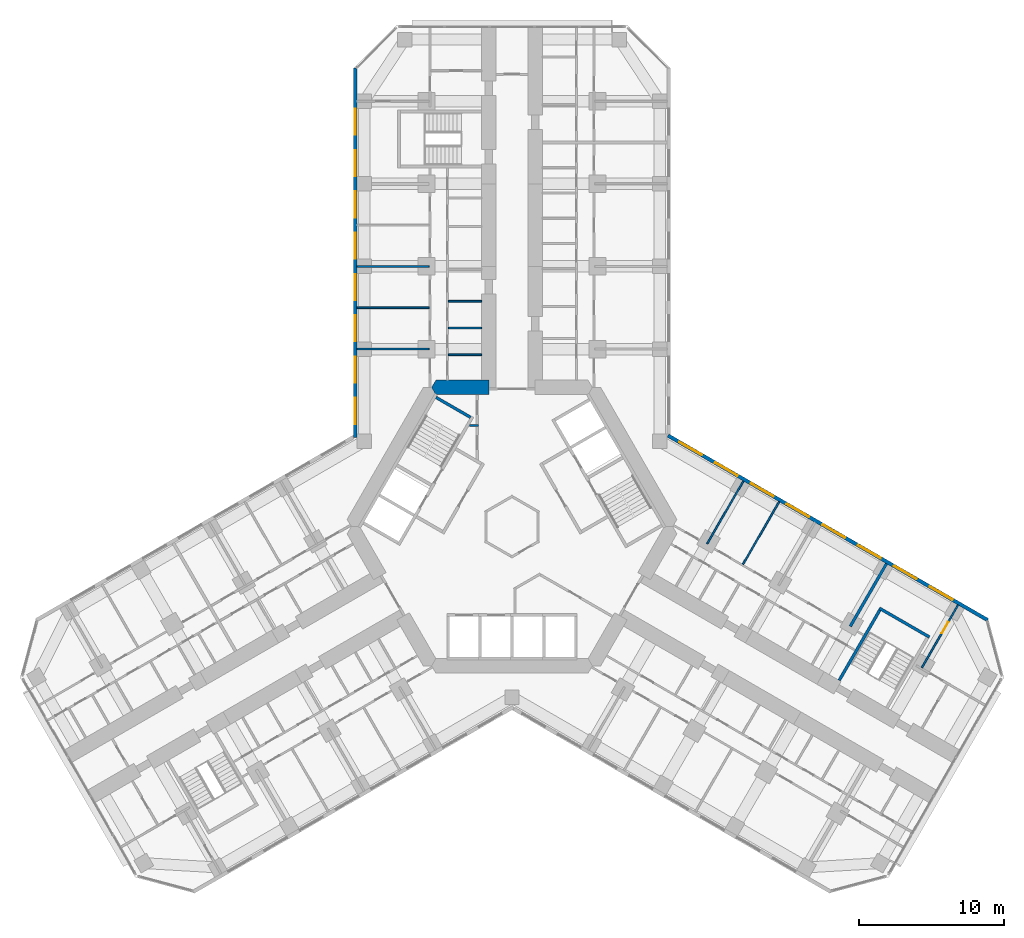
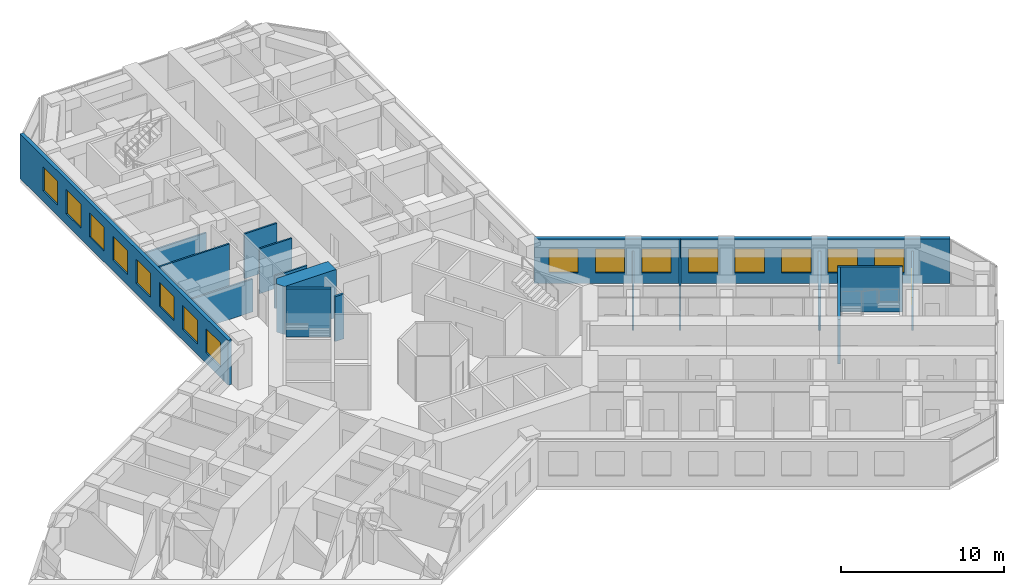
# One storey, part 16 of 21: 17 walls, 16 windows, 1 door, 17 openings.
"""IFC4 building model written with IfcOpenShell, lengths in metres."""

import ifcopenshell
import ifcopenshell.guid

model = None  # the IFC model being written
_history = None  # IfcOwnerHistory: only IFC2X3 demands one
_inside = {}  # id of a spatial element -> (the spatial element, [elements in it])
_under = {}  # id of a project, library or spatial element -> (it, [spatial elements below it])
_declared = {}  # id of a project -> (the project, [libraries it declares])
_typed = {}  # id of a type object -> (the type object, [elements of that type])
_made_of = {}  # id of a material, layer set ... -> (it, [elements and type objects made of it])


def new_model(schema):
    """Start an empty IFC model of exactly this schema.

    Asked for "IFC4X3", IfcOpenShell would pick the latest addendum, in which some entities
    have other attributes; the version numbers below select the first issue.
    IFC2X3 requires an IfcOwnerHistory on every rooted entity: one is made here for all.
    """
    global model, _history
    if schema == "IFC4X3":
        model = ifcopenshell.file(schema_version=(4, 3, 0, 0))
    else:
        model = ifcopenshell.file(schema=schema)
    _inside.clear()
    _under.clear()
    _declared.clear()
    _typed.clear()
    _made_of.clear()
    _history = None
    if model.schema == "IFC2X3":
        org = make("IfcOrganization", Name="unknown")
        user = make(
            "IfcPersonAndOrganization",
            ThePerson=make("IfcPerson", FamilyName="unknown"),
            TheOrganization=org,
        )
        app = make(
            "IfcApplication",
            ApplicationDeveloper=org,
            Version="unknown",
            ApplicationFullName="unknown",
            ApplicationIdentifier="unknown",
        )
        _history = make(
            "IfcOwnerHistory",
            OwningUser=user,
            OwningApplication=app,
            ChangeAction="ADDED",
            CreationDate=0,
        )
    return model


def make(cls, **values):
    """One entity of the class cls with the attributes given. An attribute that is None is left unset."""
    return model.create_entity(
        cls, **{name: value for name, value in values.items() if value is not None}
    )


def rooted(cls, **values):
    """An entity with a GlobalId (a new one), such as an element, a storey or a relation."""
    return make(cls, GlobalId=ifcopenshell.guid.new(), OwnerHistory=_history, **values)


def si_unit(unit_type, name, prefix=None):
    """IfcSIUnit, for example si_unit("LENGTHUNIT", "METRE", prefix="MILLI")."""
    return make("IfcSIUnit", UnitType=unit_type, Prefix=prefix, Name=name)


def assignment(units):
    """IfcUnitAssignment: the units of a project."""
    return None if units is None else make("IfcUnitAssignment", Units=units)


def point(xyz):
    """IfcCartesianPoint."""
    return None if xyz is None else make("IfcCartesianPoint", Coordinates=xyz)


def direction(xyz):
    """IfcDirection."""
    return None if xyz is None else make("IfcDirection", DirectionRatios=xyz)


def frame(location, z_axis=None, x_axis=None):
    """IfcAxis2Placement3D, a coordinate frame: its origin and axes. An axis left out is left unset."""
    return make(
        "IfcAxis2Placement3D",
        Location=point(location),
        Axis=direction(z_axis),
        RefDirection=direction(x_axis),
    )


def frame_2d(location, x_axis=None):
    """IfcAxis2Placement2D, a coordinate frame in the plane: its origin and x axis."""
    return make(
        "IfcAxis2Placement2D", Location=point(location), RefDirection=direction(x_axis)
    )


def origin():
    """The frame at (0, 0, 0) with its axes left unset."""
    return frame((0.0, 0.0, 0.0))


def place(relative_to, where):
    """IfcLocalPlacement: puts the frame where relative to a parent placement (None: the world)."""
    return make(
        "IfcLocalPlacement", PlacementRelTo=relative_to, RelativePlacement=where
    )


def context(
    kind, dimensions, precision=None, world=None, true_north=None, identifier=None
):
    """IfcGeometricRepresentationContext, for example the 3D "Model" context."""
    return make(
        "IfcGeometricRepresentationContext",
        ContextIdentifier=identifier,
        ContextType=kind,
        CoordinateSpaceDimension=dimensions,
        Precision=precision,
        WorldCoordinateSystem=world,
        TrueNorth=true_north,
    )


def subcontext(parent, identifier, kind, view, scale=None):
    """IfcGeometricRepresentationSubContext, for example "Body" below "Model"."""
    return make(
        "IfcGeometricRepresentationSubContext",
        ContextIdentifier=identifier,
        ContextType=kind,
        ParentContext=parent,
        TargetScale=scale,
        TargetView=view,
    )


def project(units=None, contexts=None):
    """IfcProject with its units and contexts."""
    return rooted(
        "IfcProject",
        Name="project",
        RepresentationContexts=contexts,
        UnitsInContext=assignment(units),
    )


def spatial(cls, under=None, at=None, **own):
    """A site, building, storey or space (cls), placed at a placement, below another one or the project."""
    s = rooted(cls, ObjectPlacement=at, **own)
    if under is not None:
        _under.setdefault(under.id(), (under, []))[1].append(s)
    return s


def polyline(points):
    """IfcPolyline through the points."""
    return make("IfcPolyline", Points=[point(p) for p in points])


def profile(cls, at=None, kind="AREA", **sizes):
    """A parametric profile (cls). Its sizes go by their IFC names, for example OverallWidth=200.0."""
    return make(cls, ProfileType=kind, Position=at, **sizes)


def rectangle(**sizes):
    """IfcRectangleProfileDef."""
    return profile("IfcRectangleProfileDef", **sizes)


def outline(outer, holes=None, kind="AREA"):
    """IfcArbitraryClosedProfileDef: a profile drawn as a closed curve; with holes, ...WithVoids."""
    if holes is None:
        return make("IfcArbitraryClosedProfileDef", ProfileType=kind, OuterCurve=outer)
    return make(
        "IfcArbitraryProfileDefWithVoids",
        ProfileType=kind,
        OuterCurve=outer,
        InnerCurves=holes,
    )


def extrude(swept, where, along, depth):
    """IfcExtrudedAreaSolid: the profile swept, set in the frame where, extruded along a direction by depth."""
    return make(
        "IfcExtrudedAreaSolid",
        SweptArea=swept,
        Position=where,
        ExtrudedDirection=direction(along),
        Depth=depth,
    )


def shape(context_of_items, identifier, shape_type, items):
    """IfcShapeRepresentation: the items that make up one representation, for example the "Body"."""
    return make(
        "IfcShapeRepresentation",
        ContextOfItems=context_of_items,
        RepresentationIdentifier=identifier,
        RepresentationType=shape_type,
        Items=items,
    )


def material(Name=None, Category=None):
    """IfcMaterial."""
    return make("IfcMaterial", Name=Name, Category=Category)


def layer(
    of_material, thickness, ventilated=None, Name=None, Category=None, Priority=None
):
    """IfcMaterialLayer: one layer of a wall or slab, of a material (None: an air gap)."""
    return make(
        "IfcMaterialLayer",
        Material=of_material,
        LayerThickness=thickness,
        IsVentilated=ventilated,
        Name=Name,
        Category=Category,
        Priority=Priority,
    )


def layer_set(layers, Name=None):
    """IfcMaterialLayerSet."""
    return make("IfcMaterialLayerSet", MaterialLayers=layers, LayerSetName=Name)


def made_of(thing, what):
    """Note that an element or type object is made of a material, layer set ...; save() writes the relation."""
    if what is not None:
        _made_of.setdefault(what.id(), (what, []))[1].append(thing)
    return thing


def type_object(cls, material=None, **own):
    """A type object (cls), such as IfcWallType, which elements share."""
    return made_of(rooted(cls, **own), material)


def element(
    cls,
    number,
    at=None,
    inside=None,
    cuts=None,
    type_object=None,
    material=None,
    context=None,
    identifier="Body",
    shape_type=None,
    held_by="IfcProductDefinitionShape",
    body=None,
    shapes=None,
    **own,
):
    """One element of the class cls, such as IfcWall. Its Tag is "e" and its number.

    at: its placement. inside: the storey or other place that contains it. cuts: it is an
    opening in that element (IfcRelVoidsElement). A single representation is given by context,
    identifier, shape_type and body (its items); several are given by shapes. held_by: the class
    of the entity that holds the representations. save() writes the other relations.
    """
    e = rooted(cls, Tag="e%d" % number, ObjectPlacement=at, **own)
    if body is not None:
        shapes = [shape(context, identifier, shape_type, body)]
    if shapes is not None:
        e.Representation = make(held_by, Representations=shapes)
    if inside is not None:
        _inside.setdefault(inside.id(), (inside, []))[1].append(e)
    if cuts is not None:
        rooted(
            "IfcRelVoidsElement", RelatingBuildingElement=cuts, RelatedOpeningElement=e
        )
    if type_object is not None:
        _typed.setdefault(type_object.id(), (type_object, []))[1].append(e)
    return made_of(e, material)


def fill(opening, filler):
    """IfcRelFillsElement: the door or window that sits in an opening."""
    return rooted(
        "IfcRelFillsElement",
        RelatingOpeningElement=opening,
        RelatedBuildingElement=filler,
    )


def aggregate(whole, parts):
    """IfcRelAggregates: a whole, such as a stair, and the parts it consists of."""
    return rooted("IfcRelAggregates", RelatingObject=whole, RelatedObjects=parts)


def save(model, path):
    """Write the relations noted so far, then the file.

    IfcRelAggregates (storeys below a building ...), IfcRelContainedInSpatialStructure (elements
    in a storey), IfcRelDefinesByType, IfcRelAssociatesMaterial and IfcRelDeclares: one each for
    every whole, place, type object, material and project.
    """
    for whole, parts in _under.values():
        aggregate(whole, parts)
    for where, things in _inside.values():
        rooted(
            "IfcRelContainedInSpatialStructure",
            RelatedElements=things,
            RelatingStructure=where,
        )
    for kind, things in _typed.values():
        rooted("IfcRelDefinesByType", RelatedObjects=things, RelatingType=kind)
    for what, things in _made_of.values():
        rooted("IfcRelAssociatesMaterial", RelatedObjects=things, RelatingMaterial=what)
    for by, libraries in _declared.values():
        rooted("IfcRelDeclares", RelatingContext=by, RelatedDefinitions=libraries)
    model.write(path)


model = new_model("IFC4")

# Units and contexts
model_context = context("Model", 3, precision=1e-05, world=origin(), true_north=direction((0.0, 1.0)))
body_context = subcontext(model_context, "Body", "Model", "MODEL_VIEW")
ifc_project = project(units=[si_unit("LENGTHUNIT", "METRE"), si_unit("AREAUNIT", "SQUARE_METRE"), si_unit("VOLUMEUNIT", "CUBIC_METRE"), si_unit("PLANEANGLEUNIT", "RADIAN"), si_unit("MASSUNIT", "GRAM", prefix="KILO")], contexts=[model_context])

# Site, building, storey
site_placement = place(None, origin())
site = spatial("IfcSite", under=ifc_project, at=site_placement, CompositionType="ELEMENT")
building_placement = place(site_placement, origin())
building = spatial("IfcBuilding", under=site, at=building_placement, Name="Kosmar Iwan School Tower", CompositionType="ELEMENT")
storey_placement = place(building_placement, frame((0.0, 0.0, 71.800048828125)))
storey = spatial("IfcBuildingStorey", under=building, at=storey_placement, Name="L17", CompositionType="ELEMENT", Elevation=71.800048828125)

# Walls
ifc_material_1 = material(Name="Gypsum board on steel studs, fire-rated", Category="steel")
ifc_layer_1 = layer(ifc_material_1, 0.14990234375)
ifc_layer_set_1 = layer_set([ifc_layer_1], Name="Core room partition 150")
wall_type_1 = type_object("IfcWallType", Name="Core room partition 150", PredefinedType="PARTITIONING", material=ifc_layer_set_1)
wall_1_placement = place(storey_placement, frame((-2.324951171875, 6.985107421875, 0.0), z_axis=(0.0, 0.0, 1.0), x_axis=(-1.0, 0.0, 0.0)))
element("IfcWall", 1, at=wall_1_placement, inside=storey, type_object=wall_type_1, Name="Core room partition L17-CW2", PredefinedType="PARTITIONING", context=body_context, shape_type="SweptSolid", body=[
    extrude(rectangle(XDim=0.623779296875, YDim=0.14990234375, at=frame_2d((0.31201171875, 0.0))), origin(), (0.0, 0.0, 1.0), 3.349853515625),
])
ifc_material_2 = material(Name="Concrete C50/60", Category="concrete")
ifc_layer_2 = layer(ifc_material_2, 1.0)
ifc_layer_set_2 = layer_set([ifc_layer_2], Name="Core wall 1000")
wall_type_2 = type_object("IfcWallType", Name="Core wall 1000", PredefinedType="SHEAR", material=ifc_layer_set_2)
wall_2_placement = place(storey_placement, origin())
element("IfcWall", 2, at=wall_2_placement, inside=storey, type_object=wall_type_2, Name="Core wall F090b", PredefinedType="SHEAR", context=body_context, shape_type="SweptSolid", body=[
    extrude(outline(polyline([(-5.25390625, 9.10009765625), (-1.60009765625, 9.10009765625), (-1.60009765625, 10.10009765625), (-5.25390625, 10.10009765625), (-5.54248046875, 9.60009765625), (-5.25390625, 9.10009765625)])), origin(), (0.0, 0.0, 1.0), 3.599853515625),
])
ifc_material_3 = material(Name="Gypsum board on steel studs", Category="steel")
ifc_layer_3 = layer(ifc_material_3, 0.1201171875)
ifc_layer_set_3 = layer_set([ifc_layer_3], Name="Dwelling partition 120")
wall_type_3 = type_object("IfcWallType", Name="Dwelling partition 120", PredefinedType="PARTITIONING", material=ifc_layer_set_3)
wall_3_placement = place(storey_placement, frame((-5.7099609375, 12.25, 0.0), z_axis=(0.0, 0.0, 1.0), x_axis=(-1.0, 0.0, 0.0)))
element("IfcWall", 3, at=wall_3_placement, inside=storey, type_object=wall_type_3, Name="Partition L17-AL1-X1", PredefinedType="PARTITIONING", context=body_context, shape_type="SweptSolid", body=[
    extrude(rectangle(XDim=4.989990234375, YDim=0.1201171875, at=frame_2d((2.4951171875, 0.0))), origin(), (0.0, 0.0, 1.0), 2.449951171875),
])
wall_4_placement = place(storey_placement, frame((-5.7099609375, 15.10009765625, 0.0), z_axis=(0.0, 0.0, 1.0), x_axis=(-1.0, 0.0, 0.0)))
element("IfcWall", 4, at=wall_4_placement, inside=storey, type_object=wall_type_3, Name="Partition L17-AL1-X2", PredefinedType="PARTITIONING", context=body_context, shape_type="SweptSolid", body=[
    extrude(rectangle(XDim=4.989990234375, YDim=0.1201171875, at=frame_2d((2.4951171875, 0.0))), origin(), (0.0, 0.0, 1.0), 3.349853515625),
])
wall_5_placement = place(storey_placement, frame((-5.7099609375, 17.949951171875, 0.0), z_axis=(0.0, 0.0, 1.0), x_axis=(-1.0, 0.0, 0.0)))
element("IfcWall", 5, at=wall_5_placement, inside=storey, type_object=wall_type_3, Name="Partition L17-AL1-X3", PredefinedType="PARTITIONING", context=body_context, shape_type="SweptSolid", body=[
    extrude(rectangle(XDim=4.989990234375, YDim=0.1201171875, at=frame_2d((2.4951171875, 0.0))), origin(), (0.0, 0.0, 1.0), 2.449951171875),
])
wall_6_placement = place(storey_placement, frame((-2.10009765625, 11.85009765625, 0.0), z_axis=(0.0, 0.0, 1.0), x_axis=(-1.0, 0.0, 0.0)))
element("IfcWall", 6, at=wall_6_placement, inside=storey, type_object=wall_type_3, Name="Partition L17-AL1-Y1", PredefinedType="PARTITIONING", context=body_context, shape_type="SweptSolid", body=[
    extrude(rectangle(XDim=2.289794921875, YDim=0.1201171875, at=frame_2d((1.14501953125, 0.0))), origin(), (0.0, 0.0, 1.0), 2.449951171875),
])
for number, where, z_axis, x_axis, name in (
    (7, (-2.10009765625, 13.699951171875, 0.0), (0.0, 0.0, 1.0), (-1.0, 0.0, 0.0), "Partition L17-AL1-Y2"),
    (8, (-2.10009765625, 15.550048828125, 0.0), (0.0, 0.0, 1.0), (-1.0, 0.0, 0.0), "Partition L17-AL1-Y3"),
):
    element("IfcWall", number, at=place(storey_placement, frame(where, z_axis=z_axis, x_axis=x_axis)), inside=storey, type_object=wall_type_3, Name=name, PredefinedType="PARTITIONING", context=body_context, shape_type="SweptSolid", body=[
        extrude(rectangle(XDim=2.289794921875, YDim=0.1201171875, at=frame_2d((1.14501953125, 0.0))), origin(), (0.0, 0.0, 1.0), 3.349853515625),
    ])
wall_7_placement = place(storey_placement, frame((13.4638671875, -1.179931640625, 0.0), z_axis=(0.0, 0.0, 1.0), x_axis=(0.499996339024, 0.86602751744, 0.0)))
element("IfcWall", 9, at=wall_7_placement, inside=storey, type_object=wall_type_3, Name="Partition L17-CL1-X1", PredefinedType="PARTITIONING", context=body_context, shape_type="SweptSolid", body=[
    extrude(rectangle(XDim=4.98974609375, YDim=0.1201171875, at=frame_2d((2.494873046875, 0.0))), origin(), (0.0, 0.0, 1.0), 2.449951171875),
])
wall_8_placement = place(storey_placement, frame((15.931884765625, -2.60498046875, 0.0), z_axis=(0.0, 0.0, 1.0), x_axis=(0.500011847778, 0.866018563358, 0.0)))
element("IfcWall", 10, at=wall_8_placement, inside=storey, type_object=wall_type_3, Name="Partition L17-CL1-X2", PredefinedType="PARTITIONING", context=body_context, shape_type="SweptSolid", body=[
    extrude(rectangle(XDim=4.990234375, YDim=0.1201171875, at=frame_2d((2.4951171875, 0.0))), origin(), (0.0, 0.0, 1.0), 3.349853515625),
])

# Wall, opening, door
wall_9_placement = place(storey_placement, frame((28.27294921875, -9.72998046875, 0.0), z_axis=(0.0, 0.0, 1.0), x_axis=(0.499975153383, 0.86603974851, 0.0)))
wall_9 = element("IfcWall", 11, at=wall_9_placement, inside=storey, type_object=wall_type_3, Name="Partition L17-CL2-TX", PredefinedType="PARTITIONING", context=body_context, shape_type="SweptSolid", body=[
    extrude(rectangle(XDim=4.989990234375, YDim=0.1201171875, at=frame_2d((2.4951171875, 0.0))), origin(), (0.0, 0.0, 1.0), 2.449951171875),
])
opening_1_placement = place(wall_9_placement, frame((2.739990234375, 0.0, 0.0)))
opening_1 = element("IfcOpeningElement", 12, at=opening_1_placement, cuts=wall_9, Name="Opening D2", PredefinedType="OPENING", context=body_context, shape_type="SweptSolid", body=[
    extrude(rectangle(XDim=0.89990234375, YDim=2.10009765625, at=frame_2d((0.449951171875, 1.050048828125))), frame((0.0, 0.072021484375, 0.0), z_axis=(0.0, -1.0, 0.0), x_axis=(1.0, 0.0, 0.0)), (0.0, 0.0, 1.0), 0.14404296875),
])
ifc_material_4 = material(Name="Timber door in timber frame", Category="wood")
door_type = type_object("IfcDoorType", Name="Internal door 900x2100", OperationType="SINGLE_SWING_LEFT", PredefinedType="DOOR", material=ifc_material_4)
door_placement = place(opening_1_placement, origin())
door = element("IfcDoor", 13, at=door_placement, inside=storey, type_object=door_type, Name="Bedroom 1 door L17-CL2-T1", OperationType="SINGLE_SWING_RIGHT", OverallHeight=2.10009765625, OverallWidth=0.89990234375, PredefinedType="DOOR", context=body_context, shape_type="SweptSolid", body=[
    extrude(rectangle(XDim=0.89990234375, YDim=2.10009765625, at=frame_2d((0.449951171875, 1.050048828125))), frame((0.0, 0.02490234375, 0.0), z_axis=(0.0, -1.0, 0.0), x_axis=(1.0, 0.0, 0.0)), (0.0, 0.0, 1.0), 0.050048828125),
])
fill(opening_1, door)

# Walls
ifc_material_5 = material(Name="Concrete C35/45", Category="concrete")
ifc_layer_4 = layer(ifc_material_5, 0.199951171875)
ifc_layer_set_4 = layer_set([ifc_layer_4], Name="Escape stair wall 200")
wall_type_4 = type_object("IfcWallType", Name="Escape stair wall 200", PredefinedType="SHEAR", material=ifc_layer_set_4)
wall_10_placement = place(storey_placement, frame((22.57080078125, -10.6064453125, 0.0), z_axis=(0.0, 0.0, 1.0), x_axis=(0.499987231761, 0.866032775405, 0.0)))
element("IfcWall", 14, at=wall_10_placement, inside=storey, type_object=wall_type_4, Name="Stair WS3 wall", PredefinedType="SHEAR", context=body_context, shape_type="SweptSolid", body=[
    extrude(rectangle(XDim=5.800048828125, YDim=0.199951171875, at=frame_2d((2.89990234375, 0.0))), origin(), (0.0, 0.0, 1.0), 3.329833984375),
])
wall_11_placement = place(storey_placement, frame((25.334228515625, -5.6201171875, 0.0), z_axis=(0.0, 0.0, 1.0), x_axis=(0.866026010844, -0.49999894854, 0.0)))
element("IfcWall", 15, at=wall_11_placement, inside=storey, type_object=wall_type_4, Name="Stair WS3 wall", PredefinedType="SHEAR", context=body_context, shape_type="SweptSolid", body=[
    extrude(rectangle(XDim=4.0, YDim=0.199951171875, at=frame_2d((2.0, 0.0))), origin(), (0.0, 0.0, 1.0), 3.329833984375),
])

# Wall, openings, windows
ifc_material_6 = material(Name="Black aluminium rainscreen on insulated framing", Category="aluminium")
ifc_layer_5 = layer(ifc_material_6, 0.25)
ifc_layer_set_5 = layer_set([ifc_layer_5], Name="External wall rainscreen 250")
wall_type_5 = type_object("IfcWallType", Name="External wall rainscreen 250", PredefinedType="SOLIDWALL", material=ifc_layer_set_5)
wall_12_placement = place(storey_placement, frame((10.762451171875, 6.285888671875, 0.0), z_axis=(0.0, 0.0, 1.0), x_axis=(0.866027962024, -0.499995568972, 0.0)))
wall_12 = element("IfcWall", 16, at=wall_12_placement, inside=storey, type_object=wall_type_5, Name="External wall CL L17", PredefinedType="SOLIDWALL", context=body_context, shape_type="SweptSolid", body=[
    extrude(rectangle(XDim=25.457763671875, YDim=0.25, at=frame_2d((12.72900390625, 0.0))), origin(), (0.0, 0.0, 1.0), 3.349853515625),
])
opening_2_placement = place(wall_12_placement, frame((0.8974609375, 0.0, 0.800048828125)))
opening_2 = element("IfcOpeningElement", 17, at=opening_2_placement, cuts=wall_12, Name="Opening W1", PredefinedType="OPENING", context=body_context, shape_type="SweptSolid", body=[
    extrude(rectangle(XDim=1.800048828125, YDim=1.800048828125, at=frame_2d((0.89990234375, 0.89990234375))), frame((0.0, 0.136962890625, 0.0), z_axis=(0.0, -1.0, 0.0), x_axis=(1.0, 0.0, 0.0)), (0.0, 0.0, 1.0), 0.27392578125),
])
opening_3_placement = place(wall_12_placement, frame((3.747314453125, 0.0, 0.800048828125)))
opening_3 = element("IfcOpeningElement", 18, at=opening_3_placement, cuts=wall_12, Name="Opening W1", PredefinedType="OPENING", context=body_context, shape_type="SweptSolid", body=[
    extrude(rectangle(XDim=1.800048828125, YDim=1.800048828125, at=frame_2d((0.89990234375, 0.89990234375))), frame((0.0, 0.136962890625, 0.0), z_axis=(0.0, -1.0, 0.0), x_axis=(1.0, 0.0, 0.0)), (0.0, 0.0, 1.0), 0.27392578125),
])
opening_4_placement = place(wall_12_placement, frame((6.597412109375, 0.0, 0.800048828125)))
opening_4 = element("IfcOpeningElement", 19, at=opening_4_placement, cuts=wall_12, Name="Opening W1", PredefinedType="OPENING", context=body_context, shape_type="SweptSolid", body=[
    extrude(rectangle(XDim=1.800048828125, YDim=1.800048828125, at=frame_2d((0.89990234375, 0.89990234375))), frame((0.0, 0.136962890625, 0.0), z_axis=(0.0, -1.0, 0.0), x_axis=(1.0, 0.0, 0.0)), (0.0, 0.0, 1.0), 0.27392578125),
])
opening_5_placement = place(wall_12_placement, frame((9.447265625, 0.0, 0.800048828125)))
opening_5 = element("IfcOpeningElement", 20, at=opening_5_placement, cuts=wall_12, Name="Opening W1", PredefinedType="OPENING", context=body_context, shape_type="SweptSolid", body=[
    extrude(rectangle(XDim=1.800048828125, YDim=1.800048828125, at=frame_2d((0.89990234375, 0.89990234375))), frame((0.0, 0.136962890625, 0.0), z_axis=(0.0, -1.0, 0.0), x_axis=(1.0, 0.0, 0.0)), (0.0, 0.0, 1.0), 0.27392578125),
])
opening_6_placement = place(wall_12_placement, frame((12.29736328125, 0.0, 0.800048828125)))
opening_6 = element("IfcOpeningElement", 21, at=opening_6_placement, cuts=wall_12, Name="Opening W1", PredefinedType="OPENING", context=body_context, shape_type="SweptSolid", body=[
    extrude(rectangle(XDim=1.800048828125, YDim=1.800048828125, at=frame_2d((0.89990234375, 0.89990234375))), frame((0.0, 0.136962890625, 0.0), z_axis=(0.0, -1.0, 0.0), x_axis=(1.0, 0.0, 0.0)), (0.0, 0.0, 1.0), 0.27392578125),
])
opening_7_placement = place(wall_12_placement, frame((15.1474609375, 0.0, 0.800048828125)))
opening_7 = element("IfcOpeningElement", 22, at=opening_7_placement, cuts=wall_12, Name="Opening W1", PredefinedType="OPENING", context=body_context, shape_type="SweptSolid", body=[
    extrude(rectangle(XDim=1.800048828125, YDim=1.800048828125, at=frame_2d((0.89990234375, 0.89990234375))), frame((0.0, 0.136962890625, 0.0), z_axis=(0.0, -1.0, 0.0), x_axis=(1.0, 0.0, 0.0)), (0.0, 0.0, 1.0), 0.27392578125),
])
opening_8_placement = place(wall_12_placement, frame((17.997314453125, 0.0, 0.800048828125)))
opening_8 = element("IfcOpeningElement", 23, at=opening_8_placement, cuts=wall_12, Name="Opening W1", PredefinedType="OPENING", context=body_context, shape_type="SweptSolid", body=[
    extrude(rectangle(XDim=1.800048828125, YDim=1.800048828125, at=frame_2d((0.89990234375, 0.89990234375))), frame((0.0, 0.136962890625, 0.0), z_axis=(0.0, -1.0, 0.0), x_axis=(1.0, 0.0, 0.0)), (0.0, 0.0, 1.0), 0.27392578125),
])
opening_9_placement = place(wall_12_placement, frame((20.847412109375, 0.0, 0.800048828125)))
opening_9 = element("IfcOpeningElement", 24, at=opening_9_placement, cuts=wall_12, Name="Opening W1", PredefinedType="OPENING", context=body_context, shape_type="SweptSolid", body=[
    extrude(rectangle(XDim=1.800048828125, YDim=1.800048828125, at=frame_2d((0.89990234375, 0.89990234375))), frame((0.0, 0.136962890625, 0.0), z_axis=(0.0, -1.0, 0.0), x_axis=(1.0, 0.0, 0.0)), (0.0, 0.0, 1.0), 0.27392578125),
])
ifc_material_7 = material(Name="Black aluminium frame with dark triple glazing", Category="aluminium")
window_type = type_object("IfcWindowType", Name="Window 1800x1800", PartitioningType="SINGLE_PANEL", PredefinedType="WINDOW", material=ifc_material_7)
window_1_placement = place(opening_2_placement, origin())
window_1 = element("IfcWindow", 25, at=window_1_placement, inside=storey, type_object=window_type, Name="Window CL L17 -1", OverallHeight=1.800048828125, OverallWidth=1.800048828125, PartitioningType="SINGLE_PANEL", PredefinedType="WINDOW", context=body_context, shape_type="SweptSolid", body=[
    extrude(rectangle(XDim=1.800048828125, YDim=1.800048828125, at=frame_2d((0.89990234375, 0.89990234375))), frame((0.0, 0.030029296875, 0.0), z_axis=(0.0, -1.0, 0.0), x_axis=(1.0, 0.0, 0.0)), (0.0, 0.0, 1.0), 0.06005859375),
])
fill(opening_2, window_1)
window_2_placement = place(opening_3_placement, origin())
window_2 = element("IfcWindow", 26, at=window_2_placement, inside=storey, type_object=window_type, Name="Window CL L17 0", OverallHeight=1.800048828125, OverallWidth=1.800048828125, PartitioningType="SINGLE_PANEL", PredefinedType="WINDOW", context=body_context, shape_type="SweptSolid", body=[
    extrude(rectangle(XDim=1.800048828125, YDim=1.800048828125, at=frame_2d((0.89990234375, 0.89990234375))), frame((0.0, 0.030029296875, 0.0), z_axis=(0.0, -1.0, 0.0), x_axis=(1.0, 0.0, 0.0)), (0.0, 0.0, 1.0), 0.06005859375),
])
fill(opening_3, window_2)
window_3_placement = place(opening_4_placement, origin())
window_3 = element("IfcWindow", 27, at=window_3_placement, inside=storey, type_object=window_type, Name="Window CL L17 1", OverallHeight=1.800048828125, OverallWidth=1.800048828125, PartitioningType="SINGLE_PANEL", PredefinedType="WINDOW", context=body_context, shape_type="SweptSolid", body=[
    extrude(rectangle(XDim=1.800048828125, YDim=1.800048828125, at=frame_2d((0.89990234375, 0.89990234375))), frame((0.0, 0.030029296875, 0.0), z_axis=(0.0, -1.0, 0.0), x_axis=(1.0, 0.0, 0.0)), (0.0, 0.0, 1.0), 0.06005859375),
])
fill(opening_4, window_3)
window_4_placement = place(opening_5_placement, origin())
window_4 = element("IfcWindow", 28, at=window_4_placement, inside=storey, type_object=window_type, Name="Window CL L17 2", OverallHeight=1.800048828125, OverallWidth=1.800048828125, PartitioningType="SINGLE_PANEL", PredefinedType="WINDOW", context=body_context, shape_type="SweptSolid", body=[
    extrude(rectangle(XDim=1.800048828125, YDim=1.800048828125, at=frame_2d((0.89990234375, 0.89990234375))), frame((0.0, 0.030029296875, 0.0), z_axis=(0.0, -1.0, 0.0), x_axis=(1.0, 0.0, 0.0)), (0.0, 0.0, 1.0), 0.06005859375),
])
fill(opening_5, window_4)
window_5_placement = place(opening_6_placement, origin())
window_5 = element("IfcWindow", 29, at=window_5_placement, inside=storey, type_object=window_type, Name="Window CL L17 3", OverallHeight=1.800048828125, OverallWidth=1.800048828125, PartitioningType="SINGLE_PANEL", PredefinedType="WINDOW", context=body_context, shape_type="SweptSolid", body=[
    extrude(rectangle(XDim=1.800048828125, YDim=1.800048828125, at=frame_2d((0.89990234375, 0.89990234375))), frame((0.0, 0.030029296875, 0.0), z_axis=(0.0, -1.0, 0.0), x_axis=(1.0, 0.0, 0.0)), (0.0, 0.0, 1.0), 0.06005859375),
])
fill(opening_6, window_5)
window_6_placement = place(opening_7_placement, origin())
window_6 = element("IfcWindow", 30, at=window_6_placement, inside=storey, type_object=window_type, Name="Window CL L17 4", OverallHeight=1.800048828125, OverallWidth=1.800048828125, PartitioningType="SINGLE_PANEL", PredefinedType="WINDOW", context=body_context, shape_type="SweptSolid", body=[
    extrude(rectangle(XDim=1.800048828125, YDim=1.800048828125, at=frame_2d((0.89990234375, 0.89990234375))), frame((0.0, 0.030029296875, 0.0), z_axis=(0.0, -1.0, 0.0), x_axis=(1.0, 0.0, 0.0)), (0.0, 0.0, 1.0), 0.06005859375),
])
fill(opening_7, window_6)
window_7_placement = place(opening_8_placement, origin())
window_7 = element("IfcWindow", 31, at=window_7_placement, inside=storey, type_object=window_type, Name="Window CL L17 5", OverallHeight=1.800048828125, OverallWidth=1.800048828125, PartitioningType="SINGLE_PANEL", PredefinedType="WINDOW", context=body_context, shape_type="SweptSolid", body=[
    extrude(rectangle(XDim=1.800048828125, YDim=1.800048828125, at=frame_2d((0.89990234375, 0.89990234375))), frame((0.0, 0.030029296875, 0.0), z_axis=(0.0, -1.0, 0.0), x_axis=(1.0, 0.0, 0.0)), (0.0, 0.0, 1.0), 0.06005859375),
])
fill(opening_8, window_7)
window_8_placement = place(opening_9_placement, origin())
window_8 = element("IfcWindow", 32, at=window_8_placement, inside=storey, type_object=window_type, Name="Window CL L17 6", OverallHeight=1.800048828125, OverallWidth=1.800048828125, PartitioningType="SINGLE_PANEL", PredefinedType="WINDOW", context=body_context, shape_type="SweptSolid", body=[
    extrude(rectangle(XDim=1.800048828125, YDim=1.800048828125, at=frame_2d((0.89990234375, 0.89990234375))), frame((0.0, 0.030029296875, 0.0), z_axis=(0.0, -1.0, 0.0), x_axis=(1.0, 0.0, 0.0)), (0.0, 0.0, 1.0), 0.06005859375),
])
fill(opening_9, window_8)

wall_13_placement = place(storey_placement, frame((-10.824951171875, 6.14794921875, 0.0), z_axis=(0.0, 0.0, 1.0), x_axis=(0.0, 1.0, 0.0)))
wall_13 = element("IfcWall", 33, at=wall_13_placement, inside=storey, type_object=wall_type_5, Name="External wall AL L17", PredefinedType="SOLIDWALL", context=body_context, shape_type="SweptSolid", body=[
    extrude(rectangle(XDim=25.4873046875, YDim=0.25, at=frame_2d((12.74365234375, 0.0))), origin(), (0.0, 0.0, 1.0), 3.349853515625),
])
opening_10_placement = place(wall_13_placement, frame((0.927001953125, 0.0, 0.800048828125)))
opening_10 = element("IfcOpeningElement", 34, at=opening_10_placement, cuts=wall_13, Name="Opening W1", PredefinedType="OPENING", context=body_context, shape_type="SweptSolid", body=[
    extrude(rectangle(XDim=1.800048828125, YDim=1.800048828125, at=frame_2d((0.89990234375, 0.89990234375))), frame((0.0, 0.136962890625, 0.0), z_axis=(0.0, -1.0, 0.0), x_axis=(1.0, 0.0, 0.0)), (0.0, 0.0, 1.0), 0.27392578125),
])
opening_11_placement = place(wall_13_placement, frame((3.777099609375, 0.0, 0.800048828125)))
opening_11 = element("IfcOpeningElement", 35, at=opening_11_placement, cuts=wall_13, Name="Opening W1", PredefinedType="OPENING", context=body_context, shape_type="SweptSolid", body=[
    extrude(rectangle(XDim=1.800048828125, YDim=1.800048828125, at=frame_2d((0.89990234375, 0.89990234375))), frame((0.0, 0.136962890625, 0.0), z_axis=(0.0, -1.0, 0.0), x_axis=(1.0, 0.0, 0.0)), (0.0, 0.0, 1.0), 0.27392578125),
])
opening_12_placement = place(wall_13_placement, frame((6.626953125, 0.0, 0.800048828125)))
opening_12 = element("IfcOpeningElement", 36, at=opening_12_placement, cuts=wall_13, Name="Opening W1", PredefinedType="OPENING", context=body_context, shape_type="SweptSolid", body=[
    extrude(rectangle(XDim=1.800048828125, YDim=1.800048828125, at=frame_2d((0.89990234375, 0.89990234375))), frame((0.0, 0.136962890625, 0.0), z_axis=(0.0, -1.0, 0.0), x_axis=(1.0, 0.0, 0.0)), (0.0, 0.0, 1.0), 0.27392578125),
])
opening_13_placement = place(wall_13_placement, frame((9.47705078125, 0.0, 0.800048828125)))
opening_13 = element("IfcOpeningElement", 37, at=opening_13_placement, cuts=wall_13, Name="Opening W1", PredefinedType="OPENING", context=body_context, shape_type="SweptSolid", body=[
    extrude(rectangle(XDim=1.800048828125, YDim=1.800048828125, at=frame_2d((0.89990234375, 0.89990234375))), frame((0.0, 0.136962890625, 0.0), z_axis=(0.0, -1.0, 0.0), x_axis=(1.0, 0.0, 0.0)), (0.0, 0.0, 1.0), 0.27392578125),
])
opening_14_placement = place(wall_13_placement, frame((12.326904296875, 0.0, 0.800048828125)))
opening_14 = element("IfcOpeningElement", 38, at=opening_14_placement, cuts=wall_13, Name="Opening W1", PredefinedType="OPENING", context=body_context, shape_type="SweptSolid", body=[
    extrude(rectangle(XDim=1.800048828125, YDim=1.800048828125, at=frame_2d((0.89990234375, 0.89990234375))), frame((0.0, 0.136962890625, 0.0), z_axis=(0.0, -1.0, 0.0), x_axis=(1.0, 0.0, 0.0)), (0.0, 0.0, 1.0), 0.27392578125),
])
opening_15_placement = place(wall_13_placement, frame((15.177001953125, 0.0, 0.800048828125)))
opening_15 = element("IfcOpeningElement", 39, at=opening_15_placement, cuts=wall_13, Name="Opening W1", PredefinedType="OPENING", context=body_context, shape_type="SweptSolid", body=[
    extrude(rectangle(XDim=1.800048828125, YDim=1.800048828125, at=frame_2d((0.89990234375, 0.89990234375))), frame((0.0, 0.136962890625, 0.0), z_axis=(0.0, -1.0, 0.0), x_axis=(1.0, 0.0, 0.0)), (0.0, 0.0, 1.0), 0.27392578125),
])
opening_16_placement = place(wall_13_placement, frame((18.027099609375, 0.0, 0.800048828125)))
opening_16 = element("IfcOpeningElement", 40, at=opening_16_placement, cuts=wall_13, Name="Opening W1", PredefinedType="OPENING", context=body_context, shape_type="SweptSolid", body=[
    extrude(rectangle(XDim=1.800048828125, YDim=1.800048828125, at=frame_2d((0.89990234375, 0.89990234375))), frame((0.0, 0.136962890625, 0.0), z_axis=(0.0, -1.0, 0.0), x_axis=(1.0, 0.0, 0.0)), (0.0, 0.0, 1.0), 0.27392578125),
])
opening_17_placement = place(wall_13_placement, frame((20.876953125, 0.0, 0.800048828125)))
opening_17 = element("IfcOpeningElement", 41, at=opening_17_placement, cuts=wall_13, Name="Opening W1", PredefinedType="OPENING", context=body_context, shape_type="SweptSolid", body=[
    extrude(rectangle(XDim=1.800048828125, YDim=1.800048828125, at=frame_2d((0.89990234375, 0.89990234375))), frame((0.0, 0.136962890625, 0.0), z_axis=(0.0, -1.0, 0.0), x_axis=(1.0, 0.0, 0.0)), (0.0, 0.0, 1.0), 0.27392578125),
])
window_9_placement = place(opening_10_placement, origin())
window_9 = element("IfcWindow", 42, at=window_9_placement, inside=storey, type_object=window_type, Name="Window AL L17 -1", OverallHeight=1.800048828125, OverallWidth=1.800048828125, PartitioningType="SINGLE_PANEL", PredefinedType="WINDOW", context=body_context, shape_type="SweptSolid", body=[
    extrude(rectangle(XDim=1.800048828125, YDim=1.800048828125, at=frame_2d((0.89990234375, 0.89990234375))), frame((0.0, 0.030029296875, 0.0), z_axis=(0.0, -1.0, 0.0), x_axis=(1.0, 0.0, 0.0)), (0.0, 0.0, 1.0), 0.06005859375),
])
fill(opening_10, window_9)
window_10_placement = place(opening_11_placement, origin())
window_10 = element("IfcWindow", 43, at=window_10_placement, inside=storey, type_object=window_type, Name="Window AL L17 0", OverallHeight=1.800048828125, OverallWidth=1.800048828125, PartitioningType="SINGLE_PANEL", PredefinedType="WINDOW", context=body_context, shape_type="SweptSolid", body=[
    extrude(rectangle(XDim=1.800048828125, YDim=1.800048828125, at=frame_2d((0.89990234375, 0.89990234375))), frame((0.0, 0.030029296875, 0.0), z_axis=(0.0, -1.0, 0.0), x_axis=(1.0, 0.0, 0.0)), (0.0, 0.0, 1.0), 0.06005859375),
])
fill(opening_11, window_10)
window_11_placement = place(opening_12_placement, origin())
window_11 = element("IfcWindow", 44, at=window_11_placement, inside=storey, type_object=window_type, Name="Window AL L17 1", OverallHeight=1.800048828125, OverallWidth=1.800048828125, PartitioningType="SINGLE_PANEL", PredefinedType="WINDOW", context=body_context, shape_type="SweptSolid", body=[
    extrude(rectangle(XDim=1.800048828125, YDim=1.800048828125, at=frame_2d((0.89990234375, 0.89990234375))), frame((0.0, 0.030029296875, 0.0), z_axis=(0.0, -1.0, 0.0), x_axis=(1.0, 0.0, 0.0)), (0.0, 0.0, 1.0), 0.06005859375),
])
fill(opening_12, window_11)
window_12_placement = place(opening_13_placement, origin())
window_12 = element("IfcWindow", 45, at=window_12_placement, inside=storey, type_object=window_type, Name="Window AL L17 2", OverallHeight=1.800048828125, OverallWidth=1.800048828125, PartitioningType="SINGLE_PANEL", PredefinedType="WINDOW", context=body_context, shape_type="SweptSolid", body=[
    extrude(rectangle(XDim=1.800048828125, YDim=1.800048828125, at=frame_2d((0.89990234375, 0.89990234375))), frame((0.0, 0.030029296875, 0.0), z_axis=(0.0, -1.0, 0.0), x_axis=(1.0, 0.0, 0.0)), (0.0, 0.0, 1.0), 0.06005859375),
])
fill(opening_13, window_12)
window_13_placement = place(opening_14_placement, origin())
window_13 = element("IfcWindow", 46, at=window_13_placement, inside=storey, type_object=window_type, Name="Window AL L17 3", OverallHeight=1.800048828125, OverallWidth=1.800048828125, PartitioningType="SINGLE_PANEL", PredefinedType="WINDOW", context=body_context, shape_type="SweptSolid", body=[
    extrude(rectangle(XDim=1.800048828125, YDim=1.800048828125, at=frame_2d((0.89990234375, 0.89990234375))), frame((0.0, 0.030029296875, 0.0), z_axis=(0.0, -1.0, 0.0), x_axis=(1.0, 0.0, 0.0)), (0.0, 0.0, 1.0), 0.06005859375),
])
fill(opening_14, window_13)
window_14_placement = place(opening_15_placement, origin())
window_14 = element("IfcWindow", 47, at=window_14_placement, inside=storey, type_object=window_type, Name="Window AL L17 4", OverallHeight=1.800048828125, OverallWidth=1.800048828125, PartitioningType="SINGLE_PANEL", PredefinedType="WINDOW", context=body_context, shape_type="SweptSolid", body=[
    extrude(rectangle(XDim=1.800048828125, YDim=1.800048828125, at=frame_2d((0.89990234375, 0.89990234375))), frame((0.0, 0.030029296875, 0.0), z_axis=(0.0, -1.0, 0.0), x_axis=(1.0, 0.0, 0.0)), (0.0, 0.0, 1.0), 0.06005859375),
])
fill(opening_15, window_14)
window_15_placement = place(opening_16_placement, origin())
window_15 = element("IfcWindow", 48, at=window_15_placement, inside=storey, type_object=window_type, Name="Window AL L17 5", OverallHeight=1.800048828125, OverallWidth=1.800048828125, PartitioningType="SINGLE_PANEL", PredefinedType="WINDOW", context=body_context, shape_type="SweptSolid", body=[
    extrude(rectangle(XDim=1.800048828125, YDim=1.800048828125, at=frame_2d((0.89990234375, 0.89990234375))), frame((0.0, 0.030029296875, 0.0), z_axis=(0.0, -1.0, 0.0), x_axis=(1.0, 0.0, 0.0)), (0.0, 0.0, 1.0), 0.06005859375),
])
fill(opening_16, window_15)
window_16_placement = place(opening_17_placement, origin())
window_16 = element("IfcWindow", 49, at=window_16_placement, inside=storey, type_object=window_type, Name="Window AL L17 6", OverallHeight=1.800048828125, OverallWidth=1.800048828125, PartitioningType="SINGLE_PANEL", PredefinedType="WINDOW", context=body_context, shape_type="SweptSolid", body=[
    extrude(rectangle(XDim=1.800048828125, YDim=1.800048828125, at=frame_2d((0.89990234375, 0.89990234375))), frame((0.0, 0.030029296875, 0.0), z_axis=(0.0, -1.0, 0.0), x_axis=(1.0, 0.0, 0.0)), (0.0, 0.0, 1.0), 0.06005859375),
])
fill(opening_17, window_16)

# Walls
ifc_material_8 = material(Name="Concrete block masonry", Category="masonry")
ifc_layer_6 = layer(ifc_material_8, 0.199951171875)
ifc_layer_set_6 = layer_set([ifc_layer_6], Name="Party wall 200")
wall_type_6 = type_object("IfcWallType", Name="Party wall 200", PredefinedType="PARTITIONING", material=ifc_layer_set_6)
wall_14_placement = place(storey_placement, frame((23.33642578125, -6.8798828125, 0.0), z_axis=(0.0, 0.0, 1.0), x_axis=(0.500033033937, 0.866006330792, 0.0)))
element("IfcWall", 50, at=wall_14_placement, inside=storey, type_object=wall_type_6, Name="Partition L17-CL2-TB", PredefinedType="PARTITIONING", context=body_context, shape_type="SweptSolid", body=[
    extrude(rectangle(XDim=4.989990234375, YDim=0.199951171875, at=frame_2d((2.4951171875, 0.0))), origin(), (0.0, 0.0, 1.0), 2.449951171875),
])
ifc_material_9 = material(Name="Concrete C50/60", Category="concrete")
ifc_layer_7 = layer(ifc_material_9, 0.199951171875)
ifc_layer_set_7 = layer_set([ifc_layer_7], Name="Stair enclosure wall 200")
wall_type_7 = type_object("IfcWallType", Name="Stair enclosure wall 200", PredefinedType="SHEAR", material=ifc_layer_set_7)
wall_15_placement = place(storey_placement, frame((-2.862548828125, 7.541748046875, 0.0), z_axis=(0.0, 0.0, 1.0), x_axis=(-0.866027397988, 0.499996545922, 0.0)))
element("IfcWall", 51, at=wall_15_placement, inside=storey, type_object=wall_type_7, Name="Stair ST2 wall", PredefinedType="SHEAR", context=body_context, shape_type="SweptSolid", body=[
    extrude(rectangle(XDim=2.75, YDim=0.199951171875, at=frame_2d((1.375, 0.0))), origin(), (0.0, 0.0, 1.0), 3.599853515625),
])

save(model, "model.ifc")
